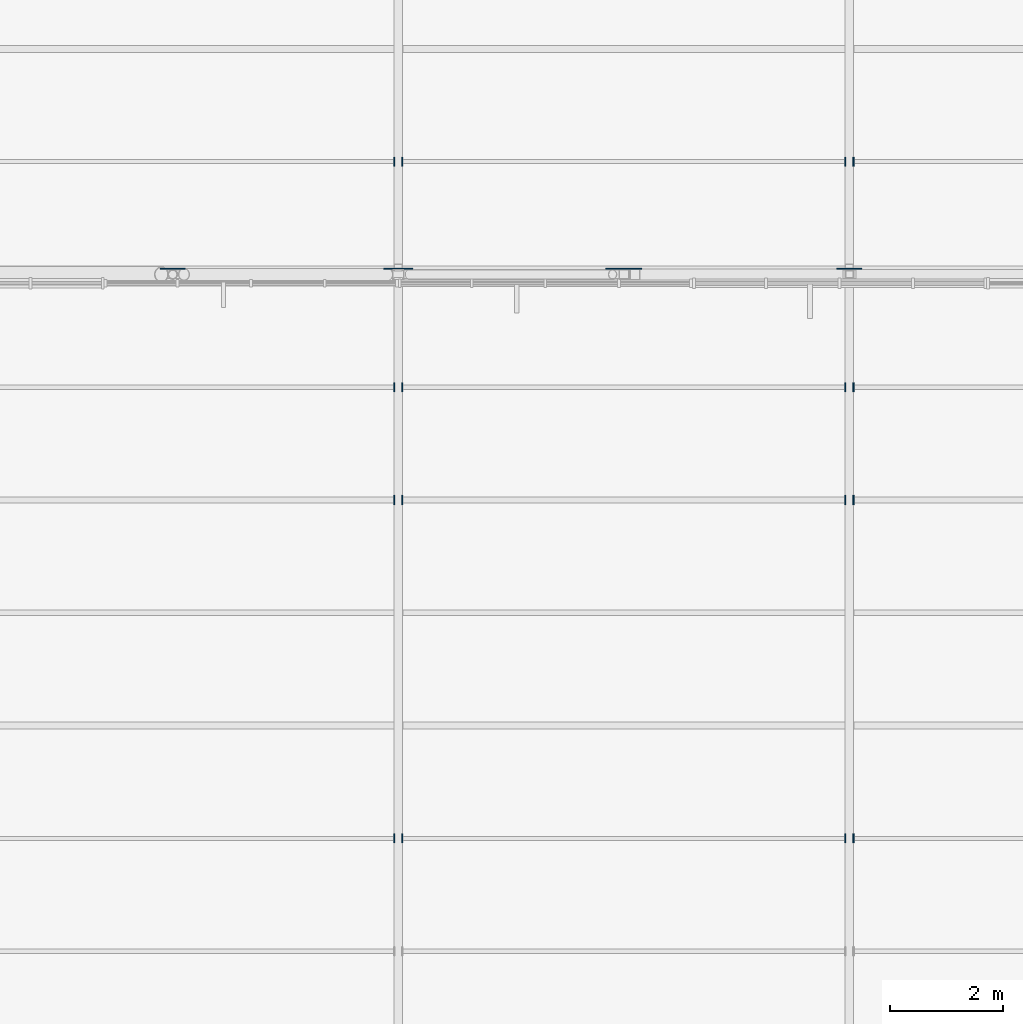
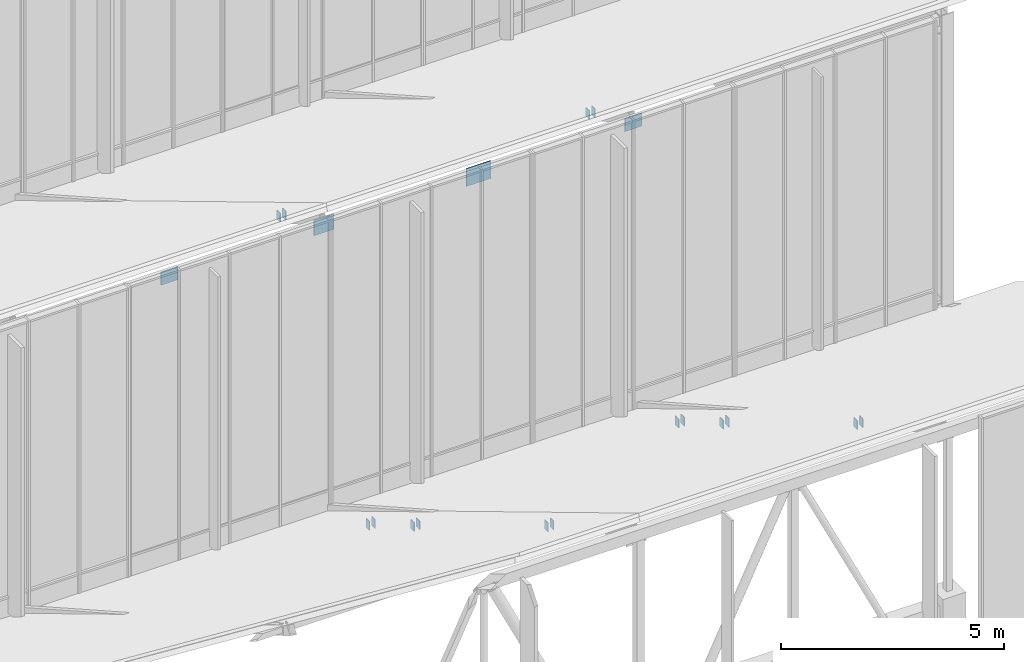
# One storey, part 88 of 155: 20 plates.
"""IFC4 building model written with IfcOpenShell, lengths in metres."""

from ifc_helpers import new_model, si_unit, direction, frame, origin, origin_2d, place, context, subcontext, project, spatial, rectangle, extrude, material, layer, layer_set, type_object, element, save


model = new_model("IFC4")

# Units and contexts
model_context = context("Model", 3, precision=1e-05, world=origin(), true_north=direction((0.0, 1.0)))
body_context = subcontext(model_context, "Body", "Model", "MODEL_VIEW")
ifc_project = project(units=[si_unit("LENGTHUNIT", "METRE"), si_unit("AREAUNIT", "SQUARE_METRE"), si_unit("VOLUMEUNIT", "CUBIC_METRE"), si_unit("PLANEANGLEUNIT", "RADIAN"), si_unit("MASSUNIT", "GRAM", prefix="KILO")], contexts=[model_context])

# Site, building, storey
site_placement = place(None, origin())
site = spatial("IfcSite", under=ifc_project, at=site_placement, CompositionType="ELEMENT")
building_placement = place(site_placement, origin())
building = spatial("IfcBuilding", under=site, at=building_placement, Name="Larkveld Mobility Hub", CompositionType="ELEMENT")
storey_placement = place(building_placement, frame((0.0, 0.0, 8.39990234375)))
storey = spatial("IfcBuildingStorey", under=building, at=storey_placement, Name="L02", CompositionType="ELEMENT", Elevation=8.39990234375)

# Plates
ifc_material = material(Name="Steel S355JR", Category="steel")
ifc_layer_1 = layer(ifc_material, 0.02001953125, Name="Steel S355JR", Category="steel")
ifc_layer_set_1 = layer_set([ifc_layer_1], Name="Steel S355JR")
plate_type_1 = type_object("IfcPlateType", Name="PT-EC02", PredefinedType="USERDEFINED", material=ifc_layer_set_1)
for number, where, z_axis, x_axis, name in (
    (1, (167.927978515625, 32.0, 5.6171875), (0.0, 0.0, 1.0), (1.0, 0.0, 0.0), "Hollow Purlin End Cap Plate PEC-075"),
    (2, (168.072021484375, 32.0, 5.6171875), (0.0, 0.0, 1.0), (1.0, 0.0, 0.0), "Hollow Purlin End Cap Plate PEC-076"),
    (3, (175.927978515625, 32.0, 5.6171875), (0.0, 0.0, 1.0), (1.0, 0.0, 0.0), "Hollow Purlin End Cap Plate PEC-077"),
    (4, (176.072021484375, 32.0, 5.6171875), (0.0, 0.0, 1.0), (1.0, 0.0, 0.0), "Hollow Purlin End Cap Plate PEC-078"),
    (5, (167.927978515625, 38.0, 1.9873046875), (0.0, 0.0, 1.0), (1.0, 0.0, 0.0), "Hollow Purlin End Cap Plate PEC-083"),
    (6, (168.072021484375, 38.0, 1.9873046875), (0.0, 0.0, 1.0), (1.0, 0.0, 0.0), "Hollow Purlin End Cap Plate PEC-084"),
    (7, (175.927978515625, 38.0, 1.9873046875), (0.0, 0.0, 1.0), (1.0, 0.0, 0.0), "Hollow Purlin End Cap Plate PEC-085"),
    (8, (176.072021484375, 38.0, 1.9873046875), (0.0, 0.0, 1.0), (1.0, 0.0, 0.0), "Hollow Purlin End Cap Plate PEC-086"),
    (9, (167.927978515625, 40.0, 0.80712890625), (0.0, 0.0, 1.0), (1.0, 0.0, 0.0), "Hollow Purlin End Cap Plate PEC-091"),
    (10, (168.072021484375, 40.0, 0.80712890625), (0.0, 0.0, 1.0), (1.0, 0.0, 0.0), "Hollow Purlin End Cap Plate PEC-092"),
    (11, (175.927978515625, 40.0, 0.80712890625), (0.0, 0.0, 1.0), (1.0, 0.0, 0.0), "Hollow Purlin End Cap Plate PEC-093"),
    (12, (176.072021484375, 40.0, 0.80712890625), (0.0, 0.0, 1.0), (1.0, 0.0, 0.0), "Hollow Purlin End Cap Plate PEC-094"),
    (13, (167.927978515625, 44.0, 6.81689453125), (0.0, 0.0, 1.0), (1.0, 0.0, 0.0), "Hollow Purlin End Cap Plate PEC-099"),
    (14, (168.072021484375, 44.0, 6.81689453125), (0.0, 0.0, 1.0), (1.0, 0.0, 0.0), "Hollow Purlin End Cap Plate PEC-100"),
    (15, (175.927978515625, 44.0, 6.81689453125), (0.0, 0.0, 1.0), (1.0, 0.0, 0.0), "Hollow Purlin End Cap Plate PEC-101"),
    (16, (176.072021484375, 44.0, 6.81689453125), (0.0, 0.0, 1.0), (1.0, 0.0, 0.0), "Hollow Purlin End Cap Plate PEC-102"),
):
    element("IfcPlate", number, at=place(storey_placement, frame(where, z_axis=z_axis, x_axis=x_axis)), inside=storey, type_object=plate_type_1, Name=name, ObjectType="GUSSET PLATE", PredefinedType="USERDEFINED", context=body_context, shape_type="SweptSolid", body=[
        extrude(rectangle(XDim=0.02001953125, YDim=0.159912109375, at=origin_2d()), origin(), (0.0, 0.0, 1.0), 0.239990234375),
    ])
ifc_layer_2 = layer(ifc_material, 0.02001953125, Name="Steel S355JR", Category="steel")
ifc_layer_set_2 = layer_set([ifc_layer_2], Name="Steel S355JR")
plate_type_2 = type_object("IfcPlateType", Name="PT-GS01", PredefinedType="USERDEFINED", material=ifc_layer_set_2)
plate_1_placement = place(storey_placement, frame((168.0, 42.10009765625, 7.615234375), z_axis=(0.0, 0.0, 1.0), x_axis=(1.0, 0.0, 0.0)))
element("IfcPlate", 17, at=plate_1_placement, inside=storey, type_object=plate_type_2, Name="Truss Node Gusset Plate TN-013", ObjectType="GUSSET PLATE", PredefinedType="USERDEFINED", context=body_context, shape_type="SweptSolid", body=[
    extrude(rectangle(XDim=0.52001953125, YDim=0.02001953125, at=origin_2d()), origin(), (0.0, 0.0, 1.0), 0.419921875),
])
ifc_layer_3 = layer(ifc_material, 0.02392578125, Name="Steel S355JR", Category="steel")
ifc_layer_set_3 = layer_set([ifc_layer_3], Name="Steel S355JR")
plate_type_3 = type_object("IfcPlateType", Name="PT-GS02", PredefinedType="USERDEFINED", material=ifc_layer_set_3)
plate_2_placement = place(storey_placement, frame((172.0, 42.10009765625, 7.585205078125), z_axis=(0.0, 0.0, 1.0), x_axis=(1.0, 0.0, 0.0)))
element("IfcPlate", 18, at=plate_2_placement, inside=storey, type_object=plate_type_3, Name="Truss Node Gusset Plate TN-014", ObjectType="GUSSET PLATE", PredefinedType="USERDEFINED", context=body_context, shape_type="SweptSolid", body=[
    extrude(rectangle(XDim=0.639892578125, YDim=0.02392578125, at=origin_2d()), origin(), (0.0, 0.0, 1.0), 0.47998046875),
])
ifc_layer_4 = layer(ifc_material, 0.01806640625, Name="Steel S355JR", Category="steel")
ifc_layer_set_4 = layer_set([ifc_layer_4], Name="Steel S355JR")
plate_type_4 = type_object("IfcPlateType", Name="PT-GS03", PredefinedType="USERDEFINED", material=ifc_layer_set_4)
for number, where, z_axis, x_axis, name in (
    (19, (164.0, 42.10009765625, 7.64501953125), (0.0, 0.0, 1.0), (1.0, 0.0, 0.0), "Truss Node Gusset Plate TN-012"),
    (20, (176.0, 42.10009765625, 7.64501953125), (0.0, 0.0, 1.0), (1.0, 0.0, 0.0), "Truss Node Gusset Plate TN-015"),
):
    element("IfcPlate", number, at=place(storey_placement, frame(where, z_axis=z_axis, x_axis=x_axis)), inside=storey, type_object=plate_type_4, Name=name, ObjectType="GUSSET PLATE", PredefinedType="USERDEFINED", context=body_context, shape_type="SweptSolid", body=[
        extrude(rectangle(XDim=0.43994140625, YDim=0.01806640625, at=origin_2d()), origin(), (0.0, 0.0, 1.0), 0.360107421875),
    ])

save(model, "model.ifc")
